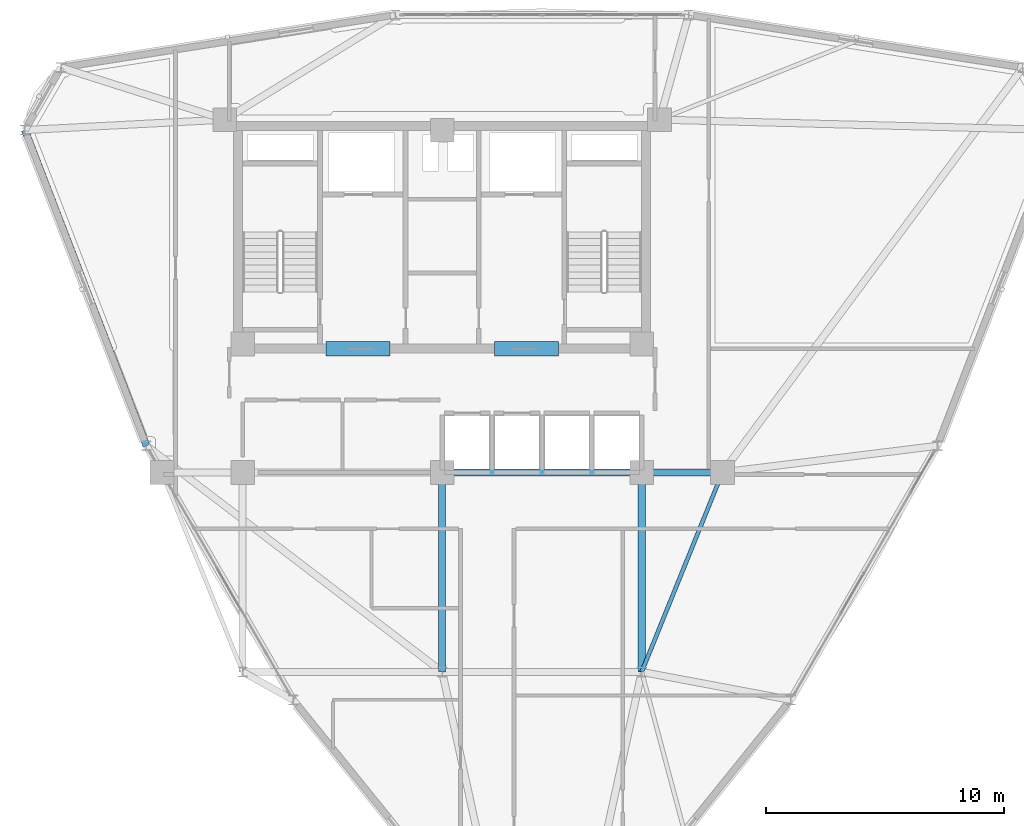
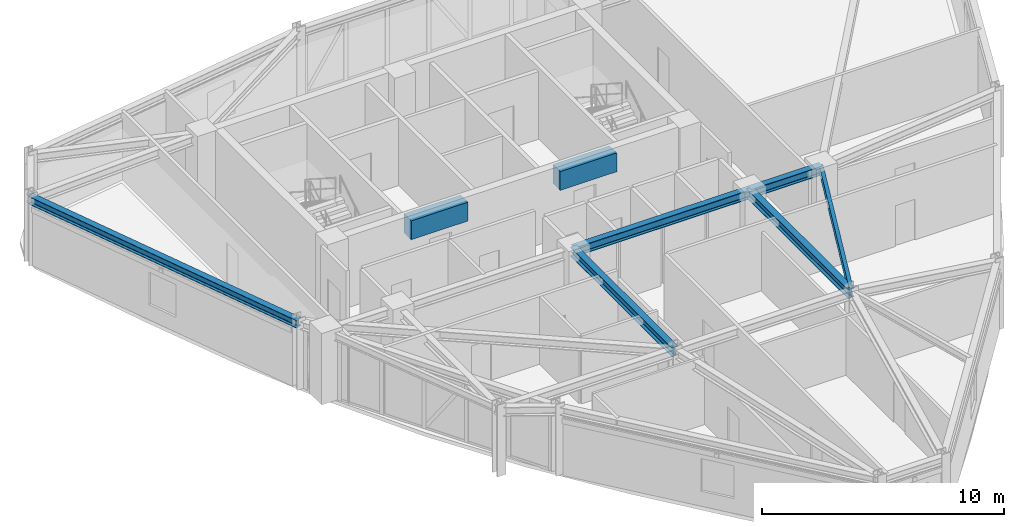
# One storey, part 5 of 18: 8 beams.
"""IFC4 building model written with IfcOpenShell, lengths in metres."""

from ifc_helpers import new_model, si_unit, derived_unit, direction, frame, origin, origin_2d, place, context, subcontext, project, spatial, rectangle, i_section, extrude, source, transform, mapped, material, material_profile, profile_set, type_object, element, save


model = new_model("IFC4")

# Units and contexts
model_context = context("Model", 3, precision=1e-05, world=origin(), true_north=direction((0.0, 1.0)))
body_context = subcontext(model_context, "Body", "Model", "MODEL_VIEW")
ifc_project = project(units=[si_unit("LENGTHUNIT", "METRE"), si_unit("AREAUNIT", "SQUARE_METRE"), si_unit("VOLUMEUNIT", "CUBIC_METRE"), si_unit("PLANEANGLEUNIT", "RADIAN"), si_unit("MASSUNIT", "GRAM", prefix="KILO"), derived_unit("THERMALTRANSMITTANCEUNIT", [(si_unit("POWERUNIT", "WATT"), 1), (si_unit("LENGTHUNIT", "METRE"), -2), (si_unit("THERMODYNAMICTEMPERATUREUNIT", "KELVIN"), -1)])], contexts=[model_context])

# Site, building, storey
site_placement = place(None, origin())
site = spatial("IfcSite", under=ifc_project, at=site_placement, CompositionType="ELEMENT")
building_placement = place(site_placement, origin())
building = spatial("IfcBuilding", under=site, at=building_placement, Name="Korsvarv Bourse and Concert Hall", CompositionType="ELEMENT")
storey_placement = place(building_placement, frame((0.0, 0.0, 209.39990234375)))
storey = spatial("IfcBuildingStorey", under=building, at=storey_placement, Name="L54", CompositionType="ELEMENT", Elevation=209.39990234375)

# Beams
ifc_material_1 = material(Name="Concrete C55/67", Category="concrete")
ifc_material_profile_1 = material_profile(ifc_material_1, rectangle(XDim=0.60009765625, YDim=0.949951171875, at=origin_2d()), Name="RC-BM 600x950")
ifc_profile_set_1 = profile_set([ifc_material_profile_1], Name="Concrete C55/67")
beam_type_1 = type_object("IfcBeamType", Name="BM-CPL", PredefinedType="LINTEL", material=ifc_profile_set_1)
shared_shape_1 = source(origin(), body_context, "Body", "SweptSolid", [
    extrude(rectangle(XDim=0.60009765625, YDim=0.949951171875, at=origin_2d()), origin(), (0.0, 0.0, 1.0), 2.699951171875),
])
for number, where, z_axis, x_axis, name in (
    (1, (31.10009765625, 37.610107421875, 2.93505859375), (1.0, 0.0, 0.0), (0.0, 1.0, 0.0), "L54 Core Coupling Beam West"),
    (2, (38.199951171875, 37.610107421875, 2.93505859375), (1.0, 0.0, 0.0), (0.0, 1.0, 0.0), "L54 Core Coupling Beam East"),
):
    element("IfcBeam", number, at=place(storey_placement, frame(where, z_axis=z_axis, x_axis=x_axis)), inside=storey, type_object=beam_type_1, Name=name, PredefinedType="LINTEL", context=body_context, shape_type="MappedRepresentation", body=[
        mapped(shared_shape_1, transform((0.0, 0.0, 0.0), scale=1.0)),
    ])
ifc_material_2 = material(Name="Steel S355", Category="steel")
ifc_material_profile_2 = material_profile(ifc_material_2, i_section(OverallWidth=0.169921875, OverallDepth=0.360107421875, WebThickness=0.008056640625, FlangeThickness=0.0126953125, FilletRadius=0.01806640625, at=origin_2d()), Name="IPE 360")
ifc_profile_set_2 = profile_set([ifc_material_profile_2], Name="Steel S355")
beam_type_2 = type_object("IfcBeamType", Name="BM-IPE360", PredefinedType="JOIST", material=ifc_profile_set_2)
shared_shape_2 = source(origin(), body_context, "Body", "SweptSolid", [
    extrude(i_section(OverallWidth=0.169921875, OverallDepth=0.360107421875, WebThickness=0.008056640625, FlangeThickness=0.0126953125, FilletRadius=0.01806640625, at=origin_2d()), origin(), (0.0, 0.0, 1.0), 9.06201171875),
])
beam_1_placement = place(storey_placement, frame((47.800048828125, 32.39990234375, 3.22998046875), z_axis=(-0.375210394783, -0.926939674222, 0.0), x_axis=(0.926939674222, -0.375210394783, 0.0)))
element("IfcBeam", 3, at=beam_1_placement, inside=storey, type_object=beam_type_2, Name="L54 beam J-06", PredefinedType="JOIST", context=body_context, shape_type="MappedRepresentation", body=[
    mapped(shared_shape_2, transform((0.0, 0.0, 0.0), scale=1.0)),
])
ifc_material_profile_3 = material_profile(ifc_material_2, i_section(OverallWidth=0.300048828125, OverallDepth=0.449951171875, WebThickness=0.013916015625, FlangeThickness=0.02587890625, FilletRadius=0.02099609375, at=origin_2d()), Name="HEB 450")
ifc_profile_set_3 = profile_set([ifc_material_profile_3], Name="Steel S355")
beam_type_3 = type_object("IfcBeamType", Name="BM-HEB450", PredefinedType="SPANDREL", material=ifc_profile_set_3)
shared_shape_3 = source(origin(), body_context, "Body", "SweptSolid", [
    extrude(i_section(OverallWidth=0.300048828125, OverallDepth=0.449951171875, WebThickness=0.013916015625, FlangeThickness=0.02587890625, FilletRadius=0.02099609375, at=origin_2d()), origin(), (0.0, 0.0, 1.0), 3.400146484375),
])
beam_2_placement = place(storey_placement, frame((44.39990234375, 32.39990234375, 3.18505859375), z_axis=(1.0, 0.0, 0.0), x_axis=(0.0, 1.0, 0.0)))
element("IfcBeam", 4, at=beam_2_placement, inside=storey, type_object=beam_type_3, Name="L54 beam B-08", PredefinedType="SPANDREL", context=body_context, shape_type="MappedRepresentation", body=[
    mapped(shared_shape_3, transform((0.0, 0.0, 0.0), scale=1.0)),
])
shared_shape_4 = source(origin(), body_context, "Body", "SweptSolid", [
    extrude(i_section(OverallWidth=0.300048828125, OverallDepth=0.449951171875, WebThickness=0.013916015625, FlangeThickness=0.02587890625, FilletRadius=0.02099609375, at=origin_2d()), origin(), (0.0, 0.0, 1.0), 8.39990234375),
])
for number, where, z_axis, x_axis, name in (
    (5, (36.0, 32.39990234375, 3.18505859375), (1.0, 0.0, 0.0), (0.0, 1.0, 0.0), "L54 beam B-08"),
    (6, (36.0, 24.0, 3.18505859375), (0.0, 1.0, 0.0), (-1.0, 0.0, 0.0), "L54 beam B-08"),
    (7, (44.39990234375, 24.0, 3.18505859375), (0.0, 1.0, 0.0), (-1.0, 0.0, 0.0), "L54 beam B-08"),
):
    element("IfcBeam", number, at=place(storey_placement, frame(where, z_axis=z_axis, x_axis=x_axis)), inside=storey, type_object=beam_type_3, Name=name, PredefinedType="SPANDREL", context=body_context, shape_type="MappedRepresentation", body=[
        mapped(shared_shape_4, transform((0.0, 0.0, 0.0), scale=1.0)),
    ])
ifc_material_profile_4 = material_profile(ifc_material_2, i_section(OverallWidth=0.300048828125, OverallDepth=0.389892578125, WebThickness=0.010986328125, FlangeThickness=0.01904296875, FilletRadius=0.02099609375, at=origin_2d()), Name="HEA 400")
ifc_profile_set_4 = profile_set([ifc_material_profile_4], Name="Steel S355")
beam_type_4 = type_object("IfcBeamType", Name="BM-HEA400", PredefinedType="BEAM", material=ifc_profile_set_4)
shared_shape_5 = source(origin(), body_context, "Body", "SweptSolid", [
    extrude(i_section(OverallWidth=0.300048828125, OverallDepth=0.389892578125, WebThickness=0.010986328125, FlangeThickness=0.01904296875, FilletRadius=0.02099609375, at=origin_2d()), origin(), (0.0, 0.0, 1.0), 14.244140625),
])
beam_3_placement = place(storey_placement, frame((18.429931640625, 46.811279296875, 3.215087890625), z_axis=(0.359314426727, -0.933216557261, 0.0), x_axis=(0.933216557261, 0.359314426727, 0.0)))
element("IfcBeam", 8, at=beam_3_placement, inside=storey, type_object=beam_type_4, Name="L54 beam B-11", PredefinedType="BEAM", context=body_context, shape_type="MappedRepresentation", body=[
    mapped(shared_shape_5, transform((0.0, 0.0, 0.0), scale=1.0)),
])

save(model, "model.ifc")
